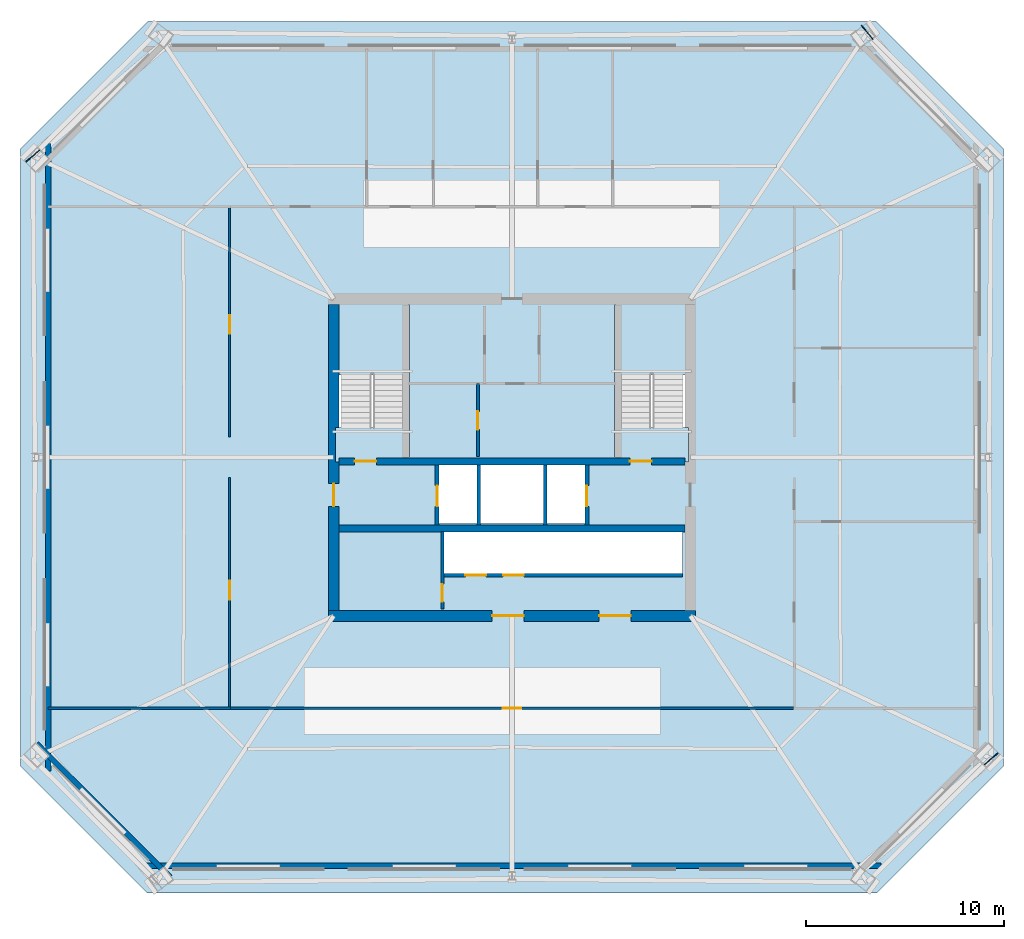
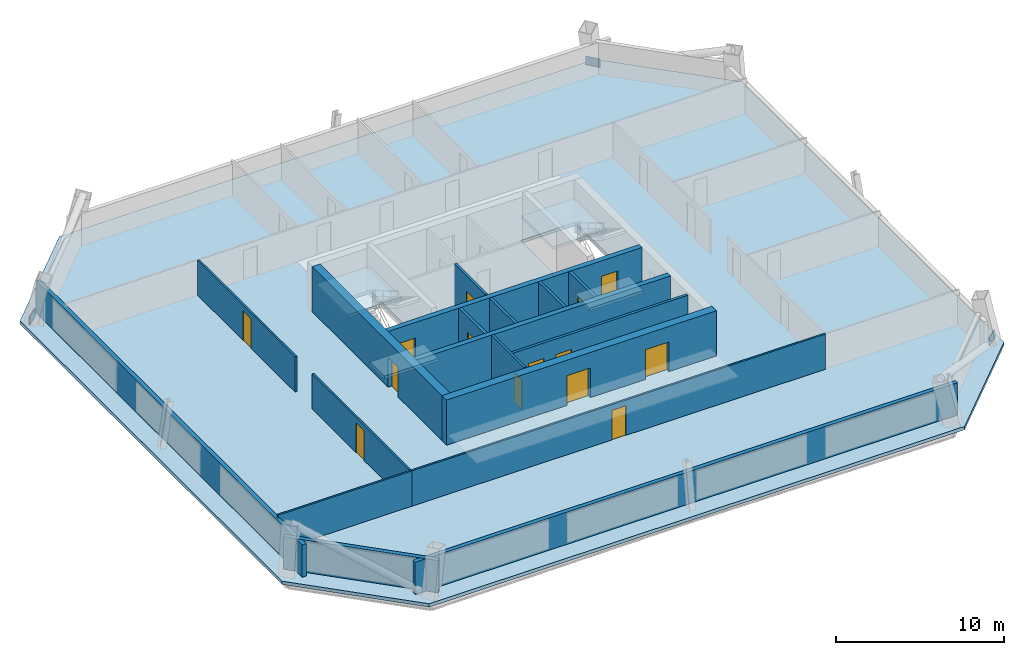
# One storey, part 2 of 6: 18 walls, 14 doors, 5 slabs, 3 plates, 14 openings, 2 elements without a shape of their own.
"""IFC4 building model written with IfcOpenShell, lengths in metres."""

from ifc_helpers import new_model, si_unit, direction, frame, frame_2d, origin, origin_2d, place, context, subcontext, project, spatial, polyline, rectangle, outline, extrude, material, layer, layer_set, type_object, element, fill, aggregate, save


model = new_model("IFC4")

# Units and contexts
model_context = context("Model", 3, precision=1e-05, world=origin(), true_north=direction((0.0, 1.0)))
body_context = subcontext(model_context, "Body", "Model", "MODEL_VIEW")
ifc_project = project(units=[si_unit("LENGTHUNIT", "METRE"), si_unit("AREAUNIT", "SQUARE_METRE"), si_unit("VOLUMEUNIT", "CUBIC_METRE"), si_unit("PLANEANGLEUNIT", "RADIAN"), si_unit("MASSUNIT", "GRAM", prefix="KILO")], contexts=[model_context])

# Site, building, storey
site_placement = place(None, origin())
site = spatial("IfcSite", under=ifc_project, at=site_placement, CompositionType="ELEMENT")
building_placement = place(site_placement, origin())
building = spatial("IfcBuilding", under=site, at=building_placement, Name="Caelvoria Tower", CompositionType="ELEMENT")
storey_placement = place(building_placement, frame((0.0, 0.0, 163.60009765625)))
storey = spatial("IfcBuildingStorey", under=building, at=storey_placement, Name="L43", CompositionType="ELEMENT", Elevation=163.60009765625)

# Plates
ifc_material_1 = material(Name="Structural Steel ASTM A572 Gr.50", Category="steel")
ifc_layer_1 = layer(ifc_material_1, 0.0400390625, Name="Structural Steel ASTM A572 Gr.50")
ifc_layer_set_1 = layer_set([ifc_layer_1], Name="Megaframe Node Gusset Plate 900x600x40 - Structural Steel ASTM A572 Gr.50")
plate_type = type_object("IfcPlateType", Name="Megaframe Node Gusset Plate 900x600x40", PredefinedType="USERDEFINED", material=ifc_layer_set_1)
for number, where, z_axis, x_axis, name in (
    (1, (70.1904296875, 16.783447265625, 0.019775390625), (0.0, 0.0, 1.0), (-0.763772370862, -0.645485681877, 0.0), "Chamfer Mega Brace Gusset L43 SE"),
    (2, (63.93798828125, 53.44775390625, 0.019775390625), (0.0, 0.0, 1.0), (0.647310091836, -0.762226767443, 0.0), "Chamfer Mega Brace Gusset L43 NE"),
    (3, (21.8095703125, 47.216552734375, 0.019775390625), (0.0, 0.0, 1.0), (0.763772370862, 0.645485681877, 0.0), "Chamfer Mega Brace Gusset L43 NW"),
):
    element("IfcPlate", number, at=place(storey_placement, frame(where, z_axis=z_axis, x_axis=x_axis)), inside=storey, type_object=plate_type, Name=name, ObjectType="GUSSET_PLATE", PredefinedType="USERDEFINED", context=body_context, shape_type="SweptSolid", body=[
        extrude(rectangle(XDim=0.89990234375, YDim=0.0400390625, at=origin_2d()), origin(), (0.0, 0.0, 1.0), 0.60009765625),
    ])

# Stair, slabs
ifc_material_2 = material(Name="Concrete C40/50", Category="concrete")
stair_type = type_object("IfcStairType", Name="Core Smokeproof Dogleg Stair Concrete C40/50", PredefinedType="HALF_TURN_STAIR", material=ifc_material_2)
stair_1_placement = place(storey_placement, origin())
stair_1 = element("IfcStair", 4, at=stair_1_placement, inside=storey, type_object=stair_type, Name="ST-01 Smokeproof Exit Stair L43", PredefinedType="HALF_TURN_STAIR")
ifc_layer_2 = layer(ifc_material_2, 0.199951171875, Name="Concrete C40/50")
ifc_layer_set_2 = layer_set([ifc_layer_2], Name="Stair Half and Floor Landing Slab 200 Concrete C40/50 - Concrete C40/50")
slab_type_1 = type_object("IfcSlabType", Name="Stair Half and Floor Landing Slab 200 Concrete C40/50", PredefinedType="LANDING", material=ifc_layer_set_2)
slab_1_placement = place(storey_placement, frame((0.0, 0.0, -0.2001953125)))
slab_1 = element("IfcSlab", 5, at=slab_1_placement, type_object=slab_type_1, Name="ST-01 landing 1", PredefinedType="LANDING", context=body_context, shape_type="SweptSolid", body=[
    extrude(outline(polyline([(37.10009765625, 31.77001953125), (40.800048828125, 31.77001953125), (40.800048828125, 33.5), (37.10009765625, 33.5), (37.10009765625, 31.77001953125)])), origin(), (0.0, 0.0, 1.0), 0.2001953125),
])
slab_2_placement = place(storey_placement, frame((0.0, 0.0, 1.599853515625)))
slab_2 = element("IfcSlab", 6, at=slab_2_placement, type_object=slab_type_1, Name="ST-01 landing 2", PredefinedType="LANDING", context=body_context, shape_type="SweptSolid", body=[
    extrude(outline(polyline([(37.10009765625, 36.14990234375), (40.800048828125, 36.14990234375), (40.800048828125, 39.89990234375), (37.10009765625, 39.89990234375), (37.10009765625, 36.14990234375)])), origin(), (0.0, 0.0, 1.0), 0.199951171875),
])
aggregate(stair_1, [slab_1, slab_2])

stair_2_placement = place(storey_placement, origin())
stair_2 = element("IfcStair", 7, at=stair_2_placement, inside=storey, type_object=stair_type, Name="ST-02 Smokeproof Exit Stair L43", PredefinedType="HALF_TURN_STAIR")
slab_3_placement = place(storey_placement, frame((0.0, 0.0, -0.2001953125)))
slab_3 = element("IfcSlab", 8, at=slab_3_placement, type_object=slab_type_1, Name="ST-02 landing 1", PredefinedType="LANDING", context=body_context, shape_type="SweptSolid", body=[
    extrude(outline(polyline([(51.199951171875, 31.77001953125), (54.89990234375, 31.77001953125), (54.89990234375, 33.5), (51.199951171875, 33.5), (51.199951171875, 31.77001953125)])), origin(), (0.0, 0.0, 1.0), 0.2001953125),
])
slab_4_placement = place(storey_placement, frame((0.0, 0.0, 1.599853515625)))
slab_4 = element("IfcSlab", 9, at=slab_4_placement, type_object=slab_type_1, Name="ST-02 landing 2", PredefinedType="LANDING", context=body_context, shape_type="SweptSolid", body=[
    extrude(outline(polyline([(51.199951171875, 36.14990234375), (54.89990234375, 36.14990234375), (54.89990234375, 39.89990234375), (51.199951171875, 39.89990234375), (51.199951171875, 36.14990234375)])), origin(), (0.0, 0.0, 1.0), 0.199951171875),
])
aggregate(stair_2, [slab_3, slab_4])

# Slab
ifc_layer_3 = layer(ifc_material_2, 0.239990234375, Name="Concrete C40/50")
ifc_layer_set_3 = layer_set([ifc_layer_3], Name="Tower Composite Office Slab 240 - Concrete C40/50")
slab_type_2 = type_object("IfcSlabType", Name="Tower Composite Office Slab 240", PredefinedType="FLOOR", material=ifc_layer_set_3)
slab_5_placement = place(storey_placement, frame((0.0, 0.0, -0.239990234375)))
element("IfcSlab", 10, at=slab_5_placement, inside=storey, type_object=slab_type_2, Name="Level L43 Structural Floor Slab", PredefinedType="FLOOR", context=body_context, shape_type="SweptSolid", body=[
    extrude(outline(polyline([(27.60009765625, 10.0), (64.39990234375, 10.0), (70.800048828125, 16.39990234375), (70.800048828125, 47.60009765625), (64.39990234375, 54.0), (27.60009765625, 54.0), (21.199951171875, 47.60009765625), (21.199951171875, 16.39990234375), (27.60009765625, 10.0)]), holes=[polyline([(37.080078125, 31.75), (40.820068359375, 31.75), (40.820068359375, 39.919921875), (37.080078125, 39.919921875), (37.080078125, 31.75)]), polyline([(51.179931640625, 31.75), (54.919921875, 31.75), (54.919921875, 39.919921875), (51.179931640625, 39.919921875), (51.179931640625, 31.75)]), polyline([(42.25, 28.64990234375), (49.75, 28.64990234375), (49.75, 31.800048828125), (42.25, 31.800048828125), (42.25, 28.64990234375)]), polyline([(42.550048828125, 26.14990234375), (54.60009765625, 26.14990234375), (54.60009765625, 28.25), (42.550048828125, 28.25), (42.550048828125, 26.14990234375)])]), origin(), (0.0, 0.0, 1.0), 0.239990234375),
])

# Wall, openings, doors
ifc_material_3 = material(Name="Concrete C50/60", Category="concrete")
ifc_layer_4 = layer(ifc_material_3, 0.35009765625, Name="Concrete C50/60")
ifc_layer_set_4 = layer_set([ifc_layer_4], Name="Core Internal Shear Wall 350 - Concrete C50/60")
wall_type_1 = type_object("IfcWallType", Name="Core Internal Shear Wall 350", PredefinedType="SHEAR", material=ifc_layer_set_4)
wall_1_placement = place(storey_placement, frame((37.27490234375, 31.800048828125, 0.0), z_axis=(0.0, 0.0, 1.0), x_axis=(1.0, 0.0, 0.0)))
wall_1 = element("IfcWall", 11, at=wall_1_placement, inside=storey, type_object=wall_type_1, Name="Core Shear Wall L43 M1", PredefinedType="SHEAR", context=body_context, shape_type="SweptSolid", body=[
    extrude(rectangle(XDim=17.4501953125, YDim=0.35009765625, at=frame_2d((8.72509765625, 0.0))), origin(), (0.0, 0.0, 1.0), 3.27978515625),
])
opening_1_placement = place(wall_1_placement, frame((0.77490234375, 0.0, 0.0)))
opening_1 = element("IfcOpeningElement", 12, at=opening_1_placement, cuts=wall_1, Name="Opening ID-01", PredefinedType="OPENING", context=body_context, shape_type="SweptSolid", body=[
    extrude(rectangle(XDim=1.10009765625, YDim=2.14990234375, at=frame_2d((0.550048828125, 1.074951171875))), frame((0.0, 0.18505859375, 0.0), z_axis=(0.0, -1.0, 0.0), x_axis=(1.0, 0.0, 0.0)), (0.0, 0.0, 1.0), 0.3701171875),
])
opening_2_placement = place(wall_1_placement, frame((14.675048828125, 0.0, 0.0)))
opening_2 = element("IfcOpeningElement", 13, at=opening_2_placement, cuts=wall_1, Name="Opening ID-01", PredefinedType="OPENING", context=body_context, shape_type="SweptSolid", body=[
    extrude(rectangle(XDim=1.10009765625, YDim=2.14990234375, at=frame_2d((0.550048828125, 1.074951171875))), frame((0.0, 0.18505859375, 0.0), z_axis=(0.0, -1.0, 0.0), x_axis=(1.0, 0.0, 0.0)), (0.0, 0.0, 1.0), 0.3701171875),
])
ifc_material_4 = material(Name="Painted Hollow Steel Fire Door", Category="steel")
door_type_1 = type_object("IfcDoorType", Name="Fire Door FD90S 1100x2150", OperationType="NOTDEFINED", PredefinedType="DOOR", material=ifc_material_4)
door_1_placement = place(opening_1_placement, origin())
door_1 = element("IfcDoor", 14, at=door_1_placement, inside=storey, type_object=door_type_1, Name="Core Door DR-L43-ST1", OperationType="SINGLE_SWING_LEFT", OverallHeight=2.14990234375, OverallWidth=1.10009765625, PredefinedType="DOOR", context=body_context, shape_type="SweptSolid", body=[
    extrude(rectangle(XDim=1.10009765625, YDim=2.14990234375, at=frame_2d((0.550048828125, 1.074951171875))), frame((0.0, 0.02490234375, 0.0), z_axis=(0.0, -1.0, 0.0), x_axis=(1.0, 0.0, 0.0)), (0.0, 0.0, 1.0), 0.050048828125),
])
fill(opening_1, door_1)
door_2_placement = place(opening_2_placement, origin())
door_2 = element("IfcDoor", 15, at=door_2_placement, inside=storey, type_object=door_type_1, Name="Core Door DR-L43-ST2", OperationType="SINGLE_SWING_RIGHT", OverallHeight=2.14990234375, OverallWidth=1.10009765625, PredefinedType="DOOR", context=body_context, shape_type="SweptSolid", body=[
    extrude(rectangle(XDim=1.10009765625, YDim=2.14990234375, at=frame_2d((0.550048828125, 1.074951171875))), frame((0.0, 0.02490234375, 0.0), z_axis=(0.0, -1.0, 0.0), x_axis=(1.0, 0.0, 0.0)), (0.0, 0.0, 1.0), 0.050048828125),
])
fill(opening_2, door_2)

# Wall
wall_2_placement = place(storey_placement, frame((37.27490234375, 28.39990234375, 0.0), z_axis=(0.0, 0.0, 1.0), x_axis=(1.0, 0.0, 0.0)))
element("IfcWall", 16, at=wall_2_placement, inside=storey, type_object=wall_type_1, Name="Core Shear Wall L43 M2", PredefinedType="SHEAR", context=body_context, shape_type="SweptSolid", body=[
    extrude(rectangle(XDim=17.4501953125, YDim=0.35009765625, at=frame_2d((8.72509765625, 0.0))), origin(), (0.0, 0.0, 1.0), 3.27978515625),
])

# Wall, opening, door
ifc_material_5 = material(Name="Double Gypsum Board on Steel Stud", Category="steel")
ifc_layer_5 = layer(ifc_material_5, 0.14990234375, Name="Double Gypsum Board on Steel Stud")
ifc_layer_set_5 = layer_set([ifc_layer_5], Name="Core Service Acoustic Partition Wall 150 - Double Gypsum Board on Steel Stud")
wall_type_2 = type_object("IfcWallType", Name="Core Service Acoustic Partition Wall 150", PredefinedType="PARTITIONING", material=ifc_layer_set_5)
wall_3_placement = place(storey_placement, frame((44.280029296875, 32.050048828125, 0.0), z_axis=(0.0, 0.0, 1.0), x_axis=(0.0, 1.0, 0.0)))
wall_3 = element("IfcWall", 17, at=wall_3_placement, inside=storey, type_object=wall_type_2, Name="Interior Partition IW-L43-C0M", PredefinedType="PARTITIONING", context=body_context, shape_type="SweptSolid", body=[
    extrude(rectangle(XDim=3.669921875, YDim=0.14990234375, at=frame_2d((1.8349609375, 0.0))), origin(), (0.0, 0.0, 1.0), 3.27978515625),
])
opening_3_placement = place(wall_3_placement, frame((1.35009765625, 0.0, 0.0)))
opening_3 = element("IfcOpeningElement", 18, at=opening_3_placement, cuts=wall_3, Name="Opening ID-07", PredefinedType="OPENING", context=body_context, shape_type="SweptSolid", body=[
    extrude(rectangle(XDim=0.919921875, YDim=2.14990234375, at=frame_2d((0.4599609375, 1.074951171875))), frame((0.0, 0.0849609375, 0.0), z_axis=(0.0, -1.0, 0.0), x_axis=(1.0, 0.0, 0.0)), (0.0, 0.0, 1.0), 0.169921875),
])
ifc_material_6 = material(Name="Engineered Andean Oak Accessible Door", Category="wood")
door_type_2 = type_object("IfcDoorType", Name="Accessible WC Door 950x2150", OperationType="NOTDEFINED", PredefinedType="DOOR", material=ifc_material_6)
door_3_placement = place(opening_3_placement, origin())
door_3 = element("IfcDoor", 19, at=door_3_placement, inside=storey, type_object=door_type_2, Name="Interior Door DR-L43-C05", OperationType="SINGLE_SWING_LEFT", OverallHeight=2.14990234375, OverallWidth=0.919921875, PredefinedType="DOOR", context=body_context, shape_type="SweptSolid", body=[
    extrude(rectangle(XDim=0.919921875, YDim=2.14990234375, at=frame_2d((0.4599609375, 1.074951171875))), frame((0.0, 0.02490234375, 0.0), z_axis=(0.0, -1.0, 0.0), x_axis=(1.0, 0.0, 0.0)), (0.0, 0.0, 1.0), 0.050048828125),
])
fill(opening_3, door_3)

wall_4_placement = place(storey_placement, frame((42.47998046875, 24.35009765625, 0.0), z_axis=(0.0, 0.0, 1.0), x_axis=(0.0, 1.0, 0.0)))
wall_4 = element("IfcWall", 20, at=wall_4_placement, inside=storey, type_object=wall_type_2, Name="Interior Partition IW-L43-RECL1E", PredefinedType="PARTITIONING", context=body_context, shape_type="SweptSolid", body=[
    extrude(rectangle(XDim=3.89990234375, YDim=0.14990234375, at=frame_2d((1.949951171875, 0.0))), origin(), (0.0, 0.0, 1.0), 3.27978515625),
])
opening_4_placement = place(wall_4_placement, frame((0.35009765625, 0.0, 0.0)))
opening_4 = element("IfcOpeningElement", 21, at=opening_4_placement, cuts=wall_4, Name="Opening ID-04", PredefinedType="OPENING", context=body_context, shape_type="SweptSolid", body=[
    extrude(rectangle(XDim=0.89990234375, YDim=2.14990234375, at=frame_2d((0.449951171875, 1.074951171875))), frame((0.0, 0.0849609375, 0.0), z_axis=(0.0, -1.0, 0.0), x_axis=(1.0, 0.0, 0.0)), (0.0, 0.0, 1.0), 0.169921875),
])
ifc_material_7 = material(Name="Acoustic Timber Fire Door", Category="wood")
door_type_3 = type_object("IfcDoorType", Name="Fire Door FD30S 900x2150", OperationType="NOTDEFINED", PredefinedType="DOOR", material=ifc_material_7)
door_4_placement = place(opening_4_placement, origin())
door_4 = element("IfcDoor", 22, at=door_4_placement, inside=storey, type_object=door_type_3, Name="Interior Door DR-L43-RECL1", OperationType="SINGLE_SWING_LEFT", OverallHeight=2.14990234375, OverallWidth=0.89990234375, PredefinedType="DOOR", context=body_context, shape_type="SweptSolid", body=[
    extrude(rectangle(XDim=0.89990234375, YDim=2.14990234375, at=frame_2d((0.449951171875, 1.074951171875))), frame((0.0, 0.02490234375, 0.0), z_axis=(0.0, -1.0, 0.0), x_axis=(1.0, 0.0, 0.0)), (0.0, 0.0, 1.0), 0.050048828125),
])
fill(opening_4, door_4)

# Walls
ifc_material_8 = material(Name="Precast Concrete C40/50 with Bronze Cladding", Category="concrete")
ifc_layer_6 = layer(ifc_material_8, 0.280029296875, Name="Precast Concrete C40/50 with Bronze Cladding")
ifc_layer_set_6 = layer_set([ifc_layer_6], Name="Exterior Precast Concrete C40/50 Bronze-Clad Facade Wall 280 - Precast Concrete C40/50 with Bronze Cladding")
wall_type_3 = type_object("IfcWallType", Name="Exterior Precast Concrete C40/50 Bronze-Clad Facade Wall 280", PredefinedType="STANDARD", material=ifc_layer_set_6)
wall_5_placement = place(storey_placement, frame((27.360107421875, 11.3798828125, 0.0), z_axis=(0.0, 0.0, 1.0), x_axis=(1.0, 0.0, 0.0)))
element("IfcWall", 23, at=wall_5_placement, inside=storey, type_object=wall_type_3, Name="Exterior Facade Wall L43-E0", PredefinedType="STANDARD", context=body_context, shape_type="SweptSolid", body=[
    extrude(rectangle(XDim=37.27978515625, YDim=0.280029296875, at=frame_2d((18.639892578125, 0.0))), origin(), (0.0, 0.0, 1.0), 2.343017578125),
])
wall_6_placement = place(storey_placement, frame((22.580078125, 47.840087890625, 0.0), z_axis=(0.0, 0.0, 1.0), x_axis=(0.0, -1.0, 0.0)))
element("IfcWall", 24, at=wall_6_placement, inside=storey, type_object=wall_type_3, Name="Exterior Facade Wall L43-E6", PredefinedType="STANDARD", context=body_context, shape_type="SweptSolid", body=[
    extrude(rectangle(XDim=31.68017578125, YDim=0.280029296875, at=frame_2d((15.840087890625, 0.0))), origin(), (0.0, 0.0, 1.0), 2.343017578125),
])
wall_7_placement = place(storey_placement, frame((22.006103515625, 17.54541015625, 0.0), z_axis=(0.0, 0.0, 1.0), x_axis=(0.707119588888, -0.707093973253, 0.0)))
element("IfcWall", 25, at=wall_7_placement, inside=storey, type_object=wall_type_3, Name="Exterior Facade Wall L43-E7", PredefinedType="STANDARD", context=body_context, shape_type="SweptSolid", body=[
    extrude(rectangle(XDim=9.531005859375, YDim=0.280029296875, at=frame_2d((4.765625, 0.0))), origin(), (0.0, 0.0, 1.0), 2.343017578125),
])
ifc_material_9 = material(Name="Concrete Block and Fireboard Assembly", Category="concrete")
ifc_layer_7 = layer(ifc_material_9, 0.179931640625, Name="Concrete Block and Fireboard Assembly")
ifc_layer_set_7 = layer_set([ifc_layer_7], Name="Fire-Rated Hoistway Partition Wall 180 - Concrete Block and Fireboard Assembly")
wall_type_4 = type_object("IfcWallType", Name="Fire-Rated Hoistway Partition Wall 180", PredefinedType="PARTITIONING", material=ifc_layer_set_7)
for number, where, z_axis, x_axis, name in (
    (26, (44.320068359375, 28.580078125, 0.0), (0.0, 0.0, 1.0), (0.0, 1.0, 0.0), "Interior Partition IW-L43-SV1W"),
    (27, (47.679931640625, 28.580078125, 0.0), (0.0, 0.0, 1.0), (0.0, 1.0, 0.0), "Interior Partition IW-L43-SV1E"),
):
    element("IfcWall", number, at=place(storey_placement, frame(where, z_axis=z_axis, x_axis=x_axis)), inside=storey, type_object=wall_type_4, Name=name, PredefinedType="PARTITIONING", context=body_context, shape_type="SweptSolid", body=[
        extrude(rectangle(XDim=3.0400390625, YDim=0.179931640625, at=frame_2d((1.52001953125, 0.0))), origin(), (0.0, 0.0, 1.0), 3.27978515625),
    ])

# Wall, openings, doors
wall_8_placement = place(storey_placement, frame((42.550048828125, 26.050048828125, 0.0), z_axis=(0.0, 0.0, 1.0), x_axis=(1.0, 0.0, 0.0)))
wall_8 = element("IfcWall", 28, at=wall_8_placement, inside=storey, type_object=wall_type_4, Name="Interior Partition IW-L43-LFRONT", PredefinedType="PARTITIONING", context=body_context, shape_type="SweptSolid", body=[
    extrude(rectangle(XDim=12.050048828125, YDim=0.179931640625, at=frame_2d((6.02490234375, 0.0))), origin(), (0.0, 0.0, 1.0), 3.27978515625),
])
opening_5_placement = place(wall_8_placement, frame((1.10009765625, 0.0, 0.0)))
opening_5 = element("IfcOpeningElement", 29, at=opening_5_placement, cuts=wall_8, Name="Opening LD-01", PredefinedType="OPENING", context=body_context, shape_type="SweptSolid", body=[
    extrude(rectangle(XDim=1.050048828125, YDim=2.14990234375, at=frame_2d((0.52490234375, 1.074951171875))), frame((0.0, 0.099853515625, 0.0), z_axis=(0.0, -1.0, 0.0), x_axis=(1.0, 0.0, 0.0)), (0.0, 0.0, 1.0), 0.199951171875),
])
opening_6_placement = place(wall_8_placement, frame((3.0, 0.0, 0.0)))
opening_6 = element("IfcOpeningElement", 30, at=opening_6_placement, cuts=wall_8, Name="Opening LD-01", PredefinedType="OPENING", context=body_context, shape_type="SweptSolid", body=[
    extrude(rectangle(XDim=1.050048828125, YDim=2.14990234375, at=frame_2d((0.52490234375, 1.074951171875))), frame((0.0, 0.099853515625, 0.0), z_axis=(0.0, -1.0, 0.0), x_axis=(1.0, 0.0, 0.0)), (0.0, 0.0, 1.0), 0.199951171875),
])
ifc_material_10 = material(Name="Brushed Bronze Stainless Sliding Landing Door", Category="aluminium")
door_type_4 = type_object("IfcDoorType", Name="Lift Landing Sliding Door 1100x2150", OperationType="NOTDEFINED", PredefinedType="DOOR", material=ifc_material_10)
door_5_placement = place(opening_5_placement, origin())
door_5 = element("IfcDoor", 31, at=door_5_placement, inside=storey, type_object=door_type_4, Name="Interior Door LD-L43-PM1", OperationType="SLIDING_TO_LEFT", OverallHeight=2.14990234375, OverallWidth=1.050048828125, PredefinedType="DOOR", context=body_context, shape_type="SweptSolid", body=[
    extrude(rectangle(XDim=1.050048828125, YDim=2.14990234375, at=frame_2d((0.52490234375, 1.074951171875))), frame((0.0, 0.02490234375, 0.0), z_axis=(0.0, -1.0, 0.0), x_axis=(1.0, 0.0, 0.0)), (0.0, 0.0, 1.0), 0.050048828125),
])
fill(opening_5, door_5)
door_6_placement = place(opening_6_placement, origin())
door_6 = element("IfcDoor", 32, at=door_6_placement, inside=storey, type_object=door_type_4, Name="Interior Door LD-L43-PM2", OperationType="SLIDING_TO_RIGHT", OverallHeight=2.14990234375, OverallWidth=1.050048828125, PredefinedType="DOOR", context=body_context, shape_type="SweptSolid", body=[
    extrude(rectangle(XDim=1.050048828125, YDim=2.14990234375, at=frame_2d((0.52490234375, 1.074951171875))), frame((0.0, 0.02490234375, 0.0), z_axis=(0.0, -1.0, 0.0), x_axis=(1.0, 0.0, 0.0)), (0.0, 0.0, 1.0), 0.050048828125),
])
fill(opening_6, door_6)

# Wall, opening, door
ifc_layer_8 = layer(ifc_material_9, 0.199951171875, Name="Concrete Block and Fireboard Assembly")
ifc_layer_set_8 = layer_set([ifc_layer_8], Name="Fire-Rated Shaft and Core Partition Wall 200 - Concrete Block and Fireboard Assembly")
wall_type_5 = type_object("IfcWallType", Name="Fire-Rated Shaft and Core Partition Wall 200", PredefinedType="PARTITIONING", material=ifc_layer_set_8)
wall_9_placement = place(storey_placement, frame((42.219970703125, 28.580078125, 0.0), z_axis=(0.0, 0.0, 1.0), x_axis=(0.0, 1.0, 0.0)))
wall_9 = element("IfcWall", 33, at=wall_9_placement, inside=storey, type_object=wall_type_5, Name="Interior Partition IW-L43-LF1W", PredefinedType="PARTITIONING", context=body_context, shape_type="SweptSolid", body=[
    extrude(rectangle(XDim=3.0400390625, YDim=0.199951171875, at=frame_2d((1.52001953125, 0.0))), origin(), (0.0, 0.0, 1.0), 3.27978515625),
])
opening_7_placement = place(wall_9_placement, frame((0.949951171875, 0.0, 0.0)))
opening_7 = element("IfcOpeningElement", 34, at=opening_7_placement, cuts=wall_9, Name="Opening LD-01", PredefinedType="OPENING", context=body_context, shape_type="SweptSolid", body=[
    extrude(rectangle(XDim=1.050048828125, YDim=2.14990234375, at=frame_2d((0.52490234375, 1.074951171875))), frame((0.0, 0.10986328125, 0.0), z_axis=(0.0, -1.0, 0.0), x_axis=(1.0, 0.0, 0.0)), (0.0, 0.0, 1.0), 0.219970703125),
])
door_7_placement = place(opening_7_placement, origin())
door_7 = element("IfcDoor", 35, at=door_7_placement, inside=storey, type_object=door_type_4, Name="Interior Door LD-L43-LF1", OperationType="SLIDING_TO_LEFT", OverallHeight=2.14990234375, OverallWidth=1.050048828125, PredefinedType="DOOR", context=body_context, shape_type="SweptSolid", body=[
    extrude(rectangle(XDim=1.050048828125, YDim=2.14990234375, at=frame_2d((0.52490234375, 1.074951171875))), frame((0.0, 0.02490234375, 0.0), z_axis=(0.0, -1.0, 0.0), x_axis=(1.0, 0.0, 0.0)), (0.0, 0.0, 1.0), 0.050048828125),
])
fill(opening_7, door_7)

wall_10_placement = place(storey_placement, frame((49.780029296875, 28.580078125, 0.0), z_axis=(0.0, 0.0, 1.0), x_axis=(0.0, 1.0, 0.0)))
wall_10 = element("IfcWall", 36, at=wall_10_placement, inside=storey, type_object=wall_type_5, Name="Interior Partition IW-L43-LF2E", PredefinedType="PARTITIONING", context=body_context, shape_type="SweptSolid", body=[
    extrude(rectangle(XDim=3.0400390625, YDim=0.199951171875, at=frame_2d((1.52001953125, 0.0))), origin(), (0.0, 0.0, 1.0), 3.27978515625),
])
opening_8_placement = place(wall_10_placement, frame((0.949951171875, 0.0, 0.0)))
opening_8 = element("IfcOpeningElement", 37, at=opening_8_placement, cuts=wall_10, Name="Opening LD-01", PredefinedType="OPENING", context=body_context, shape_type="SweptSolid", body=[
    extrude(rectangle(XDim=1.050048828125, YDim=2.14990234375, at=frame_2d((0.52490234375, 1.074951171875))), frame((0.0, 0.10986328125, 0.0), z_axis=(0.0, -1.0, 0.0), x_axis=(1.0, 0.0, 0.0)), (0.0, 0.0, 1.0), 0.219970703125),
])
door_8_placement = place(opening_8_placement, origin())
door_8 = element("IfcDoor", 38, at=door_8_placement, inside=storey, type_object=door_type_4, Name="Interior Door LD-L43-LF2", OperationType="SLIDING_TO_RIGHT", OverallHeight=2.14990234375, OverallWidth=1.050048828125, PredefinedType="DOOR", context=body_context, shape_type="SweptSolid", body=[
    extrude(rectangle(XDim=1.050048828125, YDim=2.14990234375, at=frame_2d((0.52490234375, 1.074951171875))), frame((0.0, 0.02490234375, 0.0), z_axis=(0.0, -1.0, 0.0), x_axis=(1.0, 0.0, 0.0)), (0.0, 0.0, 1.0), 0.050048828125),
])
fill(opening_8, door_8)

# Wall, openings, doors
ifc_material_11 = material(Name="Concrete C55/67", Category="concrete")
ifc_layer_9 = layer(ifc_material_11, 0.550048828125, Name="Concrete C55/67")
ifc_layer_set_9 = layer_set([ifc_layer_9], Name="Mid Core Shear Wall 550 - Concrete C55/67")
wall_type_6 = type_object("IfcWallType", Name="Mid Core Shear Wall 550", PredefinedType="SHEAR", material=ifc_layer_set_9)
wall_11_placement = place(storey_placement, frame((36.72509765625, 24.0, 0.0), z_axis=(0.0, 0.0, 1.0), x_axis=(1.0, 0.0, 0.0)))
wall_11 = element("IfcWall", 39, at=wall_11_placement, inside=storey, type_object=wall_type_6, Name="Core Shear Wall L43 S", PredefinedType="SHEAR", context=body_context, shape_type="SweptSolid", body=[
    extrude(rectangle(XDim=18.5498046875, YDim=0.550048828125, at=frame_2d((9.27490234375, 0.0))), origin(), (0.0, 0.0, 1.0), 3.27978515625),
])
opening_9_placement = place(wall_11_placement, frame((8.27490234375, 0.0, 0.0)))
opening_9 = element("IfcOpeningElement", 40, at=opening_9_placement, cuts=wall_11, Name="Opening ID-08", PredefinedType="OPENING", context=body_context, shape_type="SweptSolid", body=[
    extrude(rectangle(XDim=1.60009765625, YDim=2.14990234375, at=frame_2d((0.800048828125, 1.074951171875))), frame((0.0, 0.284912109375, 0.0), z_axis=(0.0, -1.0, 0.0), x_axis=(1.0, 0.0, 0.0)), (0.0, 0.0, 1.0), 0.570068359375),
])
opening_10_placement = place(wall_11_placement, frame((13.675048828125, 0.0, 0.0)))
opening_10 = element("IfcOpeningElement", 41, at=opening_10_placement, cuts=wall_11, Name="Opening ID-08", PredefinedType="OPENING", context=body_context, shape_type="SweptSolid", body=[
    extrude(rectangle(XDim=1.60009765625, YDim=2.14990234375, at=frame_2d((0.800048828125, 1.074951171875))), frame((0.0, 0.284912109375, 0.0), z_axis=(0.0, -1.0, 0.0), x_axis=(1.0, 0.0, 0.0)), (0.0, 0.0, 1.0), 0.570068359375),
])
ifc_material_12 = material(Name="Bronze-Framed Fire-Rated Glazed Double Door", Category="aluminium")
door_type_5 = type_object("IfcDoorType", Name="Double Lobby Glazed Door 1600x2200", OperationType="NOTDEFINED", PredefinedType="DOOR", material=ifc_material_12)
door_9_placement = place(opening_9_placement, origin())
door_9 = element("IfcDoor", 42, at=door_9_placement, inside=storey, type_object=door_type_5, Name="Core Door DR-L43-LLOB-S1", OperationType="DOUBLE_DOOR_SINGLE_SWING", OverallHeight=2.14990234375, OverallWidth=1.60009765625, PredefinedType="DOOR", context=body_context, shape_type="SweptSolid", body=[
    extrude(rectangle(XDim=1.60009765625, YDim=2.14990234375, at=frame_2d((0.800048828125, 1.074951171875))), frame((0.0, 0.02490234375, 0.0), z_axis=(0.0, -1.0, 0.0), x_axis=(1.0, 0.0, 0.0)), (0.0, 0.0, 1.0), 0.050048828125),
])
fill(opening_9, door_9)
door_10_placement = place(opening_10_placement, origin())
door_10 = element("IfcDoor", 43, at=door_10_placement, inside=storey, type_object=door_type_5, Name="Core Door DR-L43-LLOB-S2", OperationType="DOUBLE_DOOR_SINGLE_SWING", OverallHeight=2.14990234375, OverallWidth=1.60009765625, PredefinedType="DOOR", context=body_context, shape_type="SweptSolid", body=[
    extrude(rectangle(XDim=1.60009765625, YDim=2.14990234375, at=frame_2d((0.800048828125, 1.074951171875))), frame((0.0, 0.02490234375, 0.0), z_axis=(0.0, -1.0, 0.0), x_axis=(1.0, 0.0, 0.0)), (0.0, 0.0, 1.0), 0.050048828125),
])
fill(opening_10, door_10)

# Wall, opening, door
wall_12_placement = place(storey_placement, frame((37.0, 24.27490234375, 0.0), z_axis=(0.0, 0.0, 1.0), x_axis=(0.0, 1.0, 0.0)))
wall_12 = element("IfcWall", 44, at=wall_12_placement, inside=storey, type_object=wall_type_6, Name="Core Shear Wall L43 W", PredefinedType="SHEAR", context=body_context, shape_type="SweptSolid", body=[
    extrude(rectangle(XDim=15.4501953125, YDim=0.550048828125, at=frame_2d((7.72509765625, 0.0))), origin(), (0.0, 0.0, 1.0), 3.27978515625),
])
opening_11_placement = place(wall_12_placement, frame((5.25, 0.0, 0.0)))
opening_11 = element("IfcOpeningElement", 45, at=opening_11_placement, cuts=wall_12, Name="Opening ID-02", PredefinedType="OPENING", context=body_context, shape_type="SweptSolid", body=[
    extrude(rectangle(XDim=1.14990234375, YDim=2.14990234375, at=frame_2d((0.574951171875, 1.074951171875))), frame((0.0, 0.284912109375, 0.0), z_axis=(0.0, -1.0, 0.0), x_axis=(1.0, 0.0, 0.0)), (0.0, 0.0, 1.0), 0.570068359375),
])
door_type_6 = type_object("IfcDoorType", Name="Fire Door FD60S 1150x2150", OperationType="NOTDEFINED", PredefinedType="DOOR", material=ifc_material_4)
door_11_placement = place(opening_11_placement, origin())
door_11 = element("IfcDoor", 46, at=door_11_placement, inside=storey, type_object=door_type_6, Name="Core Door DR-L43-FFLW-OUT", OperationType="SINGLE_SWING_LEFT", OverallHeight=2.14990234375, OverallWidth=1.14990234375, PredefinedType="DOOR", context=body_context, shape_type="SweptSolid", body=[
    extrude(rectangle(XDim=1.14990234375, YDim=2.14990234375, at=frame_2d((0.574951171875, 1.074951171875))), frame((0.0, 0.02490234375, 0.0), z_axis=(0.0, -1.0, 0.0), x_axis=(1.0, 0.0, 0.0)), (0.0, 0.0, 1.0), 0.050048828125),
])
fill(opening_11, door_11)

ifc_material_13 = material(Name="Acoustic Gypsum Board on Light-Gauge Stud", Category="gypsum")
ifc_layer_10 = layer(ifc_material_13, 0.1201171875, Name="Acoustic Gypsum Board on Light-Gauge Stud")
ifc_layer_set_10 = layer_set([ifc_layer_10], Name="Tenant Suite Acoustic Partition Wall 120 - Acoustic Gypsum Board on Light-Gauge Stud")
wall_type_7 = type_object("IfcWallType", Name="Tenant Suite Acoustic Partition Wall 120", PredefinedType="PARTITIONING", material=ifc_layer_set_10)
wall_13_placement = place(storey_placement, frame((31.800048828125, 19.340087890625, 0.0), z_axis=(0.0, 0.0, 1.0), x_axis=(1.0, 0.0, 0.0)))
wall_13 = element("IfcWall", 47, at=wall_13_placement, inside=storey, type_object=wall_type_7, Name="Interior Partition IW-L43-SCW-0", PredefinedType="PARTITIONING", context=body_context, shape_type="SweptSolid", body=[
    extrude(rectangle(XDim=28.39990234375, YDim=0.1201171875, at=frame_2d((14.199951171875, 0.0))), origin(), (0.0, 0.0, 1.0), 2.559814453125),
])
opening_12_placement = place(wall_13_placement, frame((13.72509765625, 0.0, 0.0)))
opening_12 = element("IfcOpeningElement", 48, at=opening_12_placement, cuts=wall_13, Name="Opening ID-05", PredefinedType="OPENING", context=body_context, shape_type="SweptSolid", body=[
    extrude(rectangle(XDim=0.949951171875, YDim=2.14990234375, at=frame_2d((0.47509765625, 1.074951171875))), frame((0.0, 0.070068359375, 0.0), z_axis=(0.0, -1.0, 0.0), x_axis=(1.0, 0.0, 0.0)), (0.0, 0.0, 1.0), 0.14013671875),
])
ifc_material_14 = material(Name="Engineered Andean Oak Veneer Door", Category="wood")
door_type_7 = type_object("IfcDoorType", Name="Interior Timber Door 950x2150", OperationType="NOTDEFINED", PredefinedType="DOOR", material=ifc_material_14)
door_12_placement = place(opening_12_placement, origin())
door_12 = element("IfcDoor", 49, at=door_12_placement, inside=storey, type_object=door_type_7, Name="Interior Door DR-L43-SC-00-0", OperationType="SINGLE_SWING_RIGHT", OverallHeight=2.14990234375, OverallWidth=0.949951171875, PredefinedType="DOOR", context=body_context, shape_type="SweptSolid", body=[
    extrude(rectangle(XDim=0.949951171875, YDim=2.14990234375, at=frame_2d((0.47509765625, 1.074951171875))), frame((0.0, 0.02490234375, 0.0), z_axis=(0.0, -1.0, 0.0), x_axis=(1.0, 0.0, 0.0)), (0.0, 0.0, 1.0), 0.050048828125),
])
fill(opening_12, door_12)

wall_14_placement = place(storey_placement, frame((31.739990234375, 19.39990234375, 0.0), z_axis=(0.0, 0.0, 1.0), x_axis=(0.0, 1.0, 0.0)))
wall_14 = element("IfcWall", 50, at=wall_14_placement, inside=storey, type_object=wall_type_7, Name="Interior Partition IW-L43-WCW-0", PredefinedType="PARTITIONING", context=body_context, shape_type="SweptSolid", body=[
    extrude(rectangle(XDim=11.580078125, YDim=0.1201171875, at=frame_2d((5.7900390625, 0.0))), origin(), (0.0, 0.0, 1.0), 2.559814453125),
])
opening_13_placement = place(wall_14_placement, frame((5.4150390625, 0.0, 0.0)))
opening_13 = element("IfcOpeningElement", 51, at=opening_13_placement, cuts=wall_14, Name="Opening ID-05", PredefinedType="OPENING", context=body_context, shape_type="SweptSolid", body=[
    extrude(rectangle(XDim=0.949951171875, YDim=2.14990234375, at=frame_2d((0.47509765625, 1.074951171875))), frame((0.0, 0.070068359375, 0.0), z_axis=(0.0, -1.0, 0.0), x_axis=(1.0, 0.0, 0.0)), (0.0, 0.0, 1.0), 0.14013671875),
])
door_13_placement = place(opening_13_placement, origin())
door_13 = element("IfcDoor", 52, at=door_13_placement, inside=storey, type_object=door_type_7, Name="Interior Door DR-L43-WC-00-1", OperationType="SINGLE_SWING_LEFT", OverallHeight=2.14990234375, OverallWidth=0.949951171875, PredefinedType="DOOR", context=body_context, shape_type="SweptSolid", body=[
    extrude(rectangle(XDim=0.949951171875, YDim=2.14990234375, at=frame_2d((0.47509765625, 1.074951171875))), frame((0.0, 0.02490234375, 0.0), z_axis=(0.0, -1.0, 0.0), x_axis=(1.0, 0.0, 0.0)), (0.0, 0.0, 1.0), 0.050048828125),
])
fill(opening_13, door_13)

wall_15_placement = place(storey_placement, frame((31.739990234375, 33.02001953125, 0.0), z_axis=(0.0, 0.0, 1.0), x_axis=(0.0, 1.0, 0.0)))
wall_15 = element("IfcWall", 53, at=wall_15_placement, inside=storey, type_object=wall_type_7, Name="Interior Partition IW-L43-WCW-1", PredefinedType="PARTITIONING", context=body_context, shape_type="SweptSolid", body=[
    extrude(rectangle(XDim=11.580078125, YDim=0.1201171875, at=frame_2d((5.7900390625, 0.0))), origin(), (0.0, 0.0, 1.0), 2.559814453125),
])
opening_14_placement = place(wall_15_placement, frame((5.215087890625, 0.0, 0.0)))
opening_14 = element("IfcOpeningElement", 54, at=opening_14_placement, cuts=wall_15, Name="Opening ID-05", PredefinedType="OPENING", context=body_context, shape_type="SweptSolid", body=[
    extrude(rectangle(XDim=0.949951171875, YDim=2.14990234375, at=frame_2d((0.47509765625, 1.074951171875))), frame((0.0, 0.070068359375, 0.0), z_axis=(0.0, -1.0, 0.0), x_axis=(1.0, 0.0, 0.0)), (0.0, 0.0, 1.0), 0.14013671875),
])
door_14_placement = place(opening_14_placement, origin())
door_14 = element("IfcDoor", 55, at=door_14_placement, inside=storey, type_object=door_type_7, Name="Interior Door DR-L43-WC-00-0", OperationType="SINGLE_SWING_RIGHT", OverallHeight=2.14990234375, OverallWidth=0.949951171875, PredefinedType="DOOR", context=body_context, shape_type="SweptSolid", body=[
    extrude(rectangle(XDim=0.949951171875, YDim=2.14990234375, at=frame_2d((0.47509765625, 1.074951171875))), frame((0.0, 0.02490234375, 0.0), z_axis=(0.0, -1.0, 0.0), x_axis=(1.0, 0.0, 0.0)), (0.0, 0.0, 1.0), 0.050048828125),
])
fill(opening_14, door_14)

# Wall
wall_16_placement = place(storey_placement, frame((31.800048828125, 19.340087890625, 0.0), z_axis=(0.0, 0.0, 1.0), x_axis=(-1.0, 0.0, 0.0)))
element("IfcWall", 56, at=wall_16_placement, inside=storey, type_object=wall_type_7, Name="Interior Partition IW-L43-BSW-0", PredefinedType="PARTITIONING", context=body_context, shape_type="SweptSolid", body=[
    extrude(rectangle(XDim=9.219970703125, YDim=0.1201171875, at=frame_2d((4.60986328125, 0.0))), origin(), (0.0, 0.0, 1.0), 2.559814453125),
])

save(model, "model.ifc")
